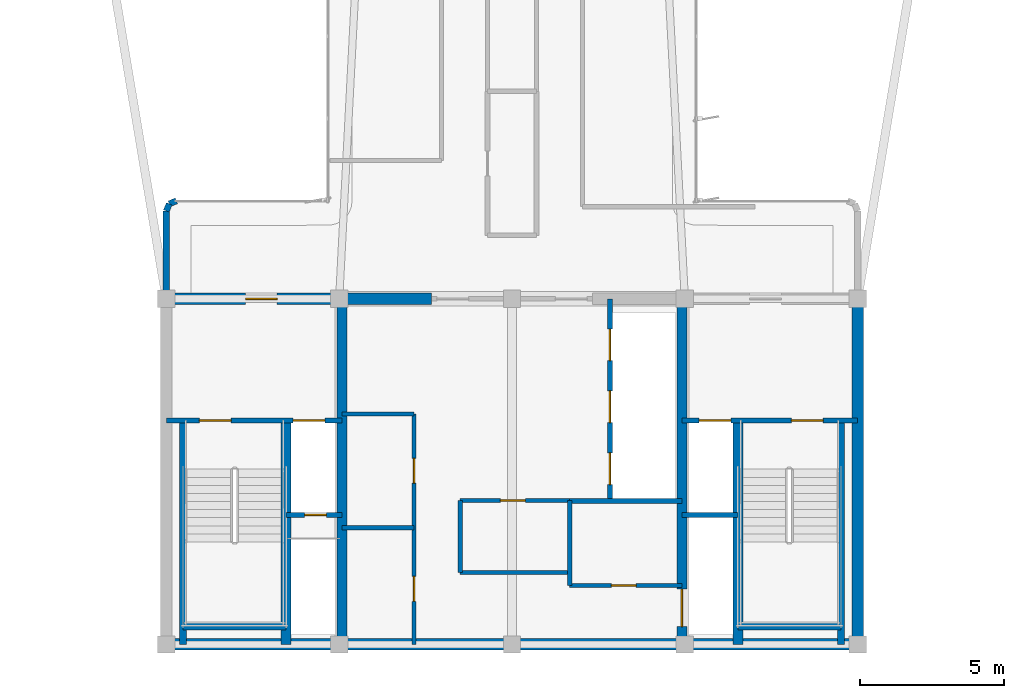
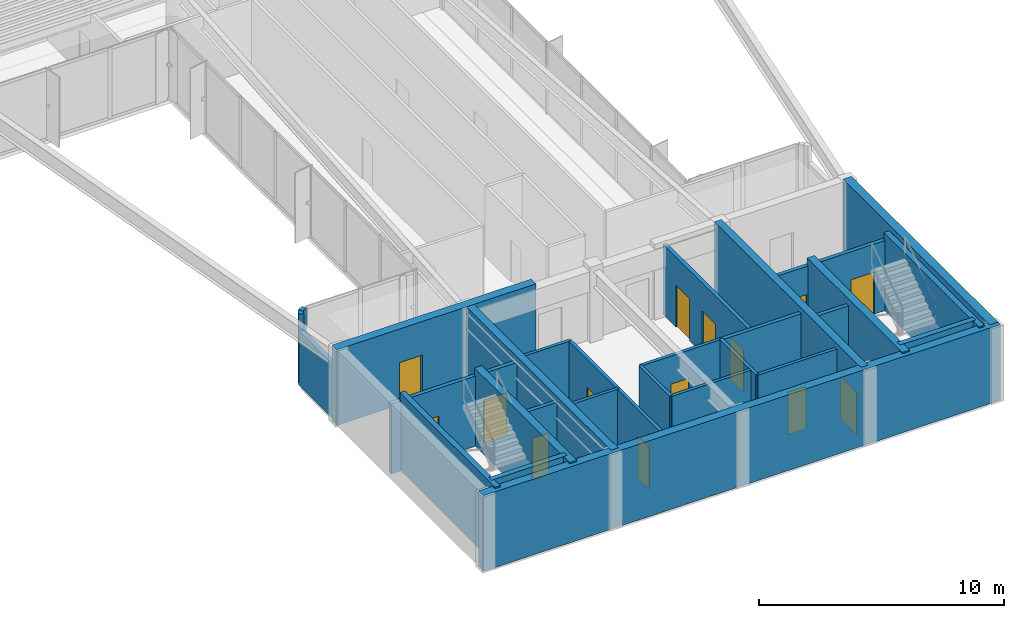
# One storey, part 10 of 16: 28 walls, 14 doors, 14 openings.
"""IFC4 building model written with IfcOpenShell, lengths in metres."""

import ifcopenshell
import ifcopenshell.guid

model = None  # the IFC model being written
_history = None  # IfcOwnerHistory: only IFC2X3 demands one
_inside = {}  # id of a spatial element -> (the spatial element, [elements in it])
_under = {}  # id of a project, library or spatial element -> (it, [spatial elements below it])
_declared = {}  # id of a project -> (the project, [libraries it declares])
_typed = {}  # id of a type object -> (the type object, [elements of that type])
_made_of = {}  # id of a material, layer set ... -> (it, [elements and type objects made of it])


def new_model(schema):
    """Start an empty IFC model of exactly this schema.

    Asked for "IFC4X3", IfcOpenShell would pick the latest addendum, in which some entities
    have other attributes; the version numbers below select the first issue.
    IFC2X3 requires an IfcOwnerHistory on every rooted entity: one is made here for all.
    """
    global model, _history
    if schema == "IFC4X3":
        model = ifcopenshell.file(schema_version=(4, 3, 0, 0))
    else:
        model = ifcopenshell.file(schema=schema)
    _inside.clear()
    _under.clear()
    _declared.clear()
    _typed.clear()
    _made_of.clear()
    _history = None
    if model.schema == "IFC2X3":
        org = make("IfcOrganization", Name="unknown")
        user = make(
            "IfcPersonAndOrganization",
            ThePerson=make("IfcPerson", FamilyName="unknown"),
            TheOrganization=org,
        )
        app = make(
            "IfcApplication",
            ApplicationDeveloper=org,
            Version="unknown",
            ApplicationFullName="unknown",
            ApplicationIdentifier="unknown",
        )
        _history = make(
            "IfcOwnerHistory",
            OwningUser=user,
            OwningApplication=app,
            ChangeAction="ADDED",
            CreationDate=0,
        )
    return model


def make(cls, **values):
    """One entity of the class cls with the attributes given. An attribute that is None is left unset."""
    return model.create_entity(
        cls, **{name: value for name, value in values.items() if value is not None}
    )


def rooted(cls, **values):
    """An entity with a GlobalId (a new one), such as an element, a storey or a relation."""
    return make(cls, GlobalId=ifcopenshell.guid.new(), OwnerHistory=_history, **values)


def si_unit(unit_type, name, prefix=None):
    """IfcSIUnit, for example si_unit("LENGTHUNIT", "METRE", prefix="MILLI")."""
    return make("IfcSIUnit", UnitType=unit_type, Prefix=prefix, Name=name)


def assignment(units):
    """IfcUnitAssignment: the units of a project."""
    return None if units is None else make("IfcUnitAssignment", Units=units)


def point(xyz):
    """IfcCartesianPoint."""
    return None if xyz is None else make("IfcCartesianPoint", Coordinates=xyz)


def direction(xyz):
    """IfcDirection."""
    return None if xyz is None else make("IfcDirection", DirectionRatios=xyz)


def frame(location, z_axis=None, x_axis=None):
    """IfcAxis2Placement3D, a coordinate frame: its origin and axes. An axis left out is left unset."""
    return make(
        "IfcAxis2Placement3D",
        Location=point(location),
        Axis=direction(z_axis),
        RefDirection=direction(x_axis),
    )


def frame_2d(location, x_axis=None):
    """IfcAxis2Placement2D, a coordinate frame in the plane: its origin and x axis."""
    return make(
        "IfcAxis2Placement2D", Location=point(location), RefDirection=direction(x_axis)
    )


def origin():
    """The frame at (0, 0, 0) with its axes left unset."""
    return frame((0.0, 0.0, 0.0))


def origin_2d():
    """The frame at (0, 0) in the plane with its x axis left unset."""
    return frame_2d((0.0, 0.0))


def place(relative_to, where):
    """IfcLocalPlacement: puts the frame where relative to a parent placement (None: the world)."""
    return make(
        "IfcLocalPlacement", PlacementRelTo=relative_to, RelativePlacement=where
    )


def context(
    kind, dimensions, precision=None, world=None, true_north=None, identifier=None
):
    """IfcGeometricRepresentationContext, for example the 3D "Model" context."""
    return make(
        "IfcGeometricRepresentationContext",
        ContextIdentifier=identifier,
        ContextType=kind,
        CoordinateSpaceDimension=dimensions,
        Precision=precision,
        WorldCoordinateSystem=world,
        TrueNorth=true_north,
    )


def subcontext(parent, identifier, kind, view, scale=None):
    """IfcGeometricRepresentationSubContext, for example "Body" below "Model"."""
    return make(
        "IfcGeometricRepresentationSubContext",
        ContextIdentifier=identifier,
        ContextType=kind,
        ParentContext=parent,
        TargetScale=scale,
        TargetView=view,
    )


def project(units=None, contexts=None):
    """IfcProject with its units and contexts."""
    return rooted(
        "IfcProject",
        Name="project",
        RepresentationContexts=contexts,
        UnitsInContext=assignment(units),
    )


def spatial(cls, under=None, at=None, **own):
    """A site, building, storey or space (cls), placed at a placement, below another one or the project."""
    s = rooted(cls, ObjectPlacement=at, **own)
    if under is not None:
        _under.setdefault(under.id(), (under, []))[1].append(s)
    return s


def profile(cls, at=None, kind="AREA", **sizes):
    """A parametric profile (cls). Its sizes go by their IFC names, for example OverallWidth=200.0."""
    return make(cls, ProfileType=kind, Position=at, **sizes)


def rectangle(**sizes):
    """IfcRectangleProfileDef."""
    return profile("IfcRectangleProfileDef", **sizes)


def extrude(swept, where, along, depth):
    """IfcExtrudedAreaSolid: the profile swept, set in the frame where, extruded along a direction by depth."""
    return make(
        "IfcExtrudedAreaSolid",
        SweptArea=swept,
        Position=where,
        ExtrudedDirection=direction(along),
        Depth=depth,
    )


def shape(context_of_items, identifier, shape_type, items):
    """IfcShapeRepresentation: the items that make up one representation, for example the "Body"."""
    return make(
        "IfcShapeRepresentation",
        ContextOfItems=context_of_items,
        RepresentationIdentifier=identifier,
        RepresentationType=shape_type,
        Items=items,
    )


def source(mapping_origin, context_of_items, identifier, shape_type, items):
    """IfcRepresentationMap: a shape defined once, which mapped items show again and again."""
    return make(
        "IfcRepresentationMap",
        MappingOrigin=mapping_origin,
        MappedRepresentation=shape(context_of_items, identifier, shape_type, items),
    )


def transform(
    local_origin,
    x_axis=None,
    y_axis=None,
    z_axis=None,
    scale=None,
    scale2=None,
    scale3=None,
    uniform=True,
):
    """IfcCartesianTransformationOperator3D, or its non-uniform kind. x_axis, y_axis, z_axis: its Axis1, 2, 3."""
    if uniform:
        return make(
            "IfcCartesianTransformationOperator3D",
            Axis1=direction(x_axis),
            Axis2=direction(y_axis),
            LocalOrigin=point(local_origin),
            Scale=scale,
            Axis3=direction(z_axis),
        )
    return make(
        "IfcCartesianTransformationOperator3DnonUniform",
        Axis1=direction(x_axis),
        Axis2=direction(y_axis),
        LocalOrigin=point(local_origin),
        Scale=scale,
        Axis3=direction(z_axis),
        Scale2=scale2,
        Scale3=scale3,
    )


def mapped(mapping_source, mapping_target):
    """IfcMappedItem: shows the shape of a source again, moved by a transform."""
    return make(
        "IfcMappedItem", MappingSource=mapping_source, MappingTarget=mapping_target
    )


def material(Name=None, Category=None):
    """IfcMaterial."""
    return make("IfcMaterial", Name=Name, Category=Category)


def layer(
    of_material, thickness, ventilated=None, Name=None, Category=None, Priority=None
):
    """IfcMaterialLayer: one layer of a wall or slab, of a material (None: an air gap)."""
    return make(
        "IfcMaterialLayer",
        Material=of_material,
        LayerThickness=thickness,
        IsVentilated=ventilated,
        Name=Name,
        Category=Category,
        Priority=Priority,
    )


def layer_set(layers, Name=None):
    """IfcMaterialLayerSet."""
    return make("IfcMaterialLayerSet", MaterialLayers=layers, LayerSetName=Name)


def made_of(thing, what):
    """Note that an element or type object is made of a material, layer set ...; save() writes the relation."""
    if what is not None:
        _made_of.setdefault(what.id(), (what, []))[1].append(thing)
    return thing


def type_object(cls, material=None, **own):
    """A type object (cls), such as IfcWallType, which elements share."""
    return made_of(rooted(cls, **own), material)


def element(
    cls,
    number,
    at=None,
    inside=None,
    cuts=None,
    type_object=None,
    material=None,
    context=None,
    identifier="Body",
    shape_type=None,
    held_by="IfcProductDefinitionShape",
    body=None,
    shapes=None,
    **own,
):
    """One element of the class cls, such as IfcWall. Its Tag is "e" and its number.

    at: its placement. inside: the storey or other place that contains it. cuts: it is an
    opening in that element (IfcRelVoidsElement). A single representation is given by context,
    identifier, shape_type and body (its items); several are given by shapes. held_by: the class
    of the entity that holds the representations. save() writes the other relations.
    """
    e = rooted(cls, Tag="e%d" % number, ObjectPlacement=at, **own)
    if body is not None:
        shapes = [shape(context, identifier, shape_type, body)]
    if shapes is not None:
        e.Representation = make(held_by, Representations=shapes)
    if inside is not None:
        _inside.setdefault(inside.id(), (inside, []))[1].append(e)
    if cuts is not None:
        rooted(
            "IfcRelVoidsElement", RelatingBuildingElement=cuts, RelatedOpeningElement=e
        )
    if type_object is not None:
        _typed.setdefault(type_object.id(), (type_object, []))[1].append(e)
    return made_of(e, material)


def fill(opening, filler):
    """IfcRelFillsElement: the door or window that sits in an opening."""
    return rooted(
        "IfcRelFillsElement",
        RelatingOpeningElement=opening,
        RelatedBuildingElement=filler,
    )


def aggregate(whole, parts):
    """IfcRelAggregates: a whole, such as a stair, and the parts it consists of."""
    return rooted("IfcRelAggregates", RelatingObject=whole, RelatedObjects=parts)


def save(model, path):
    """Write the relations noted so far, then the file.

    IfcRelAggregates (storeys below a building ...), IfcRelContainedInSpatialStructure (elements
    in a storey), IfcRelDefinesByType, IfcRelAssociatesMaterial and IfcRelDeclares: one each for
    every whole, place, type object, material and project.
    """
    for whole, parts in _under.values():
        aggregate(whole, parts)
    for where, things in _inside.values():
        rooted(
            "IfcRelContainedInSpatialStructure",
            RelatedElements=things,
            RelatingStructure=where,
        )
    for kind, things in _typed.values():
        rooted("IfcRelDefinesByType", RelatedObjects=things, RelatingType=kind)
    for what, things in _made_of.values():
        rooted("IfcRelAssociatesMaterial", RelatedObjects=things, RelatingMaterial=what)
    for by, libraries in _declared.values():
        rooted("IfcRelDeclares", RelatingContext=by, RelatedDefinitions=libraries)
    model.write(path)


model = new_model("IFC4")

# Units and contexts
model_context = context("Model", 3, precision=1e-05, world=origin(), true_north=direction((0.0, 1.0)))
body_context = subcontext(model_context, "Body", "Model", "MODEL_VIEW")
ifc_project = project(units=[si_unit("LENGTHUNIT", "METRE"), si_unit("AREAUNIT", "SQUARE_METRE"), si_unit("VOLUMEUNIT", "CUBIC_METRE"), si_unit("PLANEANGLEUNIT", "RADIAN"), si_unit("MASSUNIT", "GRAM", prefix="KILO")], contexts=[model_context])

# Site, building, storey
site_placement = place(None, origin())
site = spatial("IfcSite", under=ifc_project, at=site_placement, CompositionType="ELEMENT")
building_placement = place(site_placement, origin())
building = spatial("IfcBuilding", under=site, at=building_placement, Name="Brelvock Crest Care Tower", CompositionType="ELEMENT")
storey_placement = place(building_placement, frame((0.0, 0.0, 238.139892578125)))
storey = spatial("IfcBuildingStorey", under=building, at=storey_placement, Name="L60", CompositionType="ELEMENT", Elevation=238.139892578125)

# Walls
ifc_material_1 = material(Name="Concrete S65 (65 MPa)", Category="concrete")
ifc_layer_1 = layer(ifc_material_1, 0.39990234375, Name="WL-CS4")
ifc_layer_set_1 = layer_set([ifc_layer_1], Name="Concrete S65 (65 MPa)")
wall_type_1 = type_object("IfcWallType", Name="WL-CS4", PredefinedType="SHEAR", material=ifc_layer_set_1)
wall_1_placement = place(storey_placement, frame((48.199951171875, 6.0, 0.0), z_axis=(0.0, 0.0, 1.0), x_axis=(-1.0, 0.0, 0.0)))
element("IfcWall", 1, at=wall_1_placement, inside=storey, type_object=wall_type_1, Name="L60 Core South Shear Wall", PredefinedType="SHEAR", context=body_context, shape_type="SweptSolid", body=[
    extrude(rectangle(XDim=24.39990234375, YDim=0.39990234375, at=frame_2d((12.199951171875, 0.0))), origin(), (0.0, 0.0, 1.0), 3.780029296875),
])
wall_2_placement = place(storey_placement, frame((48.0, 18.0, 0.0), z_axis=(0.0, 0.0, 1.0), x_axis=(0.0, -1.0, 0.0)))
element("IfcWall", 2, at=wall_2_placement, inside=storey, type_object=wall_type_1, Name="L60 Core East Shear Wall", PredefinedType="SHEAR", context=body_context, shape_type="SweptSolid", body=[
    extrude(rectangle(XDim=12.0, YDim=0.39990234375, at=frame_2d((6.0, 0.0))), origin(), (0.0, 0.0, 1.0), 3.780029296875),
])

# Wall, opening, door
wall_3_placement = place(storey_placement, frame((23.800048828125, 18.0, 0.0), z_axis=(0.0, 0.0, 1.0), x_axis=(1.0, 0.0, 0.0)))
wall_3 = element("IfcWall", 3, at=wall_3_placement, inside=storey, type_object=wall_type_1, Name="L60 Core North-West Shear Wall", PredefinedType="SHEAR", context=body_context, shape_type="SweptSolid", body=[
    extrude(rectangle(XDim=9.39990234375, YDim=0.39990234375, at=frame_2d((4.699951171875, 0.0))), origin(), (0.0, 0.0, 1.0), 3.780029296875),
])
opening_1_placement = place(wall_3_placement, frame((2.949951171875, 0.0, 0.0)))
opening_1 = element("IfcOpeningElement", 4, at=opening_1_placement, cuts=wall_3, Name="Opening FD-1", PredefinedType="OPENING", context=body_context, shape_type="SweptSolid", body=[
    extrude(rectangle(XDim=1.10009765625, YDim=2.10009765625, at=origin_2d()), frame((0.550048828125, 0.2099609375, 1.050048828125), z_axis=(0.0, -1.0, 0.0), x_axis=(1.0, 0.0, 0.0)), (0.0, 0.0, 1.0), 0.419921875),
])
ifc_material_2 = material(Name="Steel Grade 350", Category="steel")
door_type_1 = type_object("IfcDoorType", Name="DR-FFL1", OperationType="NOTDEFINED", PredefinedType="DOOR", material=ifc_material_2)
shared_shape_1 = source(origin(), body_context, "Body", "SweptSolid", [
    extrude(rectangle(XDim=1.10009765625, YDim=2.10009765625, at=origin_2d()), frame((0.550048828125, 0.02490234375, 1.050048828125), z_axis=(0.0, -1.0, 0.0), x_axis=(1.0, 0.0, 0.0)), (0.0, 0.0, 1.0), 0.050048828125),
])
door_1_placement = place(opening_1_placement, origin())
door_1 = element("IfcDoor", 5, at=door_1_placement, inside=storey, type_object=door_type_1, Name="L60 Firefighting Lobby FFL-1 Exit Door", OperationType="SINGLE_SWING_LEFT", OverallHeight=2.10009765625, OverallWidth=1.10009765625, PredefinedType="DOOR", context=body_context, shape_type="MappedRepresentation", body=[
    mapped(shared_shape_1, transform((0.0, 0.0, 0.0), x_axis=(1.0, 0.0, 0.0), y_axis=(0.0, 1.0, 0.0), z_axis=(0.0, 0.0, 1.0), scale=1.0)),
])
fill(opening_1, door_1)

# Wall
ifc_material_3 = material(Name="Concrete S80 (80 MPa)", Category="concrete")
ifc_layer_2 = layer(ifc_material_3, 0.35009765625, Name="WL-CS5")
ifc_layer_set_2 = layer_set([ifc_layer_2], Name="Concrete S80 (80 MPa)")
wall_type_2 = type_object("IfcWallType", Name="WL-CS5", PredefinedType="SHEAR", material=ifc_layer_set_2)
wall_4_placement = place(storey_placement, frame((30.10009765625, 6.0, 0.0), z_axis=(0.0, 0.0, 1.0), x_axis=(0.0, 1.0, 0.0)))
element("IfcWall", 6, at=wall_4_placement, inside=storey, type_object=wall_type_2, Name="L60 Core Internal Web Wall West", PredefinedType="SHEAR", context=body_context, shape_type="SweptSolid", body=[
    extrude(rectangle(XDim=12.0, YDim=0.35009765625, at=frame_2d((6.0, 0.0))), origin(), (0.0, 0.0, 1.0), 3.780029296875),
])

# Wall, opening, door
wall_5_placement = place(storey_placement, frame((41.89990234375, 18.0, 0.0), z_axis=(0.0, 0.0, 1.0), x_axis=(0.0, -1.0, 0.0)))
wall_5 = element("IfcWall", 7, at=wall_5_placement, inside=storey, type_object=wall_type_2, Name="L60 Core Internal Web Wall East", PredefinedType="SHEAR", context=body_context, shape_type="SweptSolid", body=[
    extrude(rectangle(XDim=12.0, YDim=0.35009765625, at=frame_2d((6.0, 0.0))), origin(), (0.0, 0.0, 1.0), 3.780029296875),
])
opening_2_placement = place(wall_5_placement, frame((10.080078125, 0.0, 0.0)))
opening_2 = element("IfcOpeningElement", 8, at=opening_2_placement, cuts=wall_5, Name="Opening LD-S", PredefinedType="OPENING", context=body_context, shape_type="SweptSolid", body=[
    extrude(rectangle(XDim=1.300048828125, YDim=2.10009765625, at=origin_2d()), frame((0.64990234375, 0.18505859375, 1.050048828125), z_axis=(0.0, -1.0, 0.0), x_axis=(1.0, 0.0, 0.0)), (0.0, 0.0, 1.0), 0.3701171875),
])
door_type_2 = type_object("IfcDoorType", Name="DR-LDS1", OperationType="NOTDEFINED", PredefinedType="DOOR", material=ifc_material_2)
shared_shape_2 = source(origin(), body_context, "Body", "SweptSolid", [
    extrude(rectangle(XDim=1.300048828125, YDim=2.10009765625, at=origin_2d()), frame((0.64990234375, 0.02490234375, 1.050048828125), z_axis=(0.0, -1.0, 0.0), x_axis=(1.0, 0.0, 0.0)), (0.0, 0.0, 1.0), 0.050048828125),
])
door_2_placement = place(opening_2_placement, origin())
door_2 = element("IfcDoor", 9, at=door_2_placement, inside=storey, type_object=door_type_2, Name="L60 Clinical Bed Lift SL-1 Landing Door", OperationType="SLIDING_TO_LEFT", OverallHeight=2.10009765625, OverallWidth=1.300048828125, PredefinedType="DOOR", context=body_context, shape_type="MappedRepresentation", body=[
    mapped(shared_shape_2, transform((0.0, 0.0, 0.0), x_axis=(1.0, 0.0, 0.0), y_axis=(0.0, 1.0, 0.0), z_axis=(0.0, 0.0, 1.0), scale=1.0)),
])
fill(opening_2, door_2)

# Walls
for number, where, z_axis, x_axis, name in (
    (10, (28.14990234375, 6.0, 0.0), (0.0, 0.0, 1.0), (0.0, 1.0, 0.0), "L60 Core Stair ST-1 East Shear Wall"),
    (11, (43.85009765625, 6.0, 0.0), (0.0, 0.0, 1.0), (0.0, 1.0, 0.0), "L60 Core Stair ST-2 West Shear Wall"),
):
    element("IfcWall", number, at=place(storey_placement, frame(where, z_axis=z_axis, x_axis=x_axis)), inside=storey, type_object=wall_type_2, Name=name, PredefinedType="SHEAR", context=body_context, shape_type="SweptSolid", body=[
        extrude(rectangle(XDim=7.780029296875, YDim=0.35009765625, at=frame_2d((3.89013671875, 0.0))), origin(), (0.0, 0.0, 1.0), 3.85009765625),
    ])
ifc_layer_3 = layer(ifc_material_3, 0.25, Name="WL-CS6")
ifc_layer_set_3 = layer_set([ifc_layer_3], Name="Concrete S80 (80 MPa)")
wall_type_3 = type_object("IfcWallType", Name="WL-CS6", PredefinedType="SHEAR", material=ifc_layer_set_3)
wall_6_placement = place(storey_placement, frame((24.580078125, 6.0, 0.0), z_axis=(0.0, 0.0, 1.0), x_axis=(0.0, 1.0, 0.0)))
element("IfcWall", 12, at=wall_6_placement, inside=storey, type_object=wall_type_3, Name="L60 Core Stair ST-1 West Shear Wall", PredefinedType="SHEAR", context=body_context, shape_type="SweptSolid", body=[
    extrude(rectangle(XDim=7.780029296875, YDim=0.25, at=frame_2d((3.89013671875, 0.0))), origin(), (0.0, 0.0, 1.0), 3.85009765625),
])
wall_7_placement = place(storey_placement, frame((24.580078125, 6.6201171875, 0.0), z_axis=(0.0, 0.0, 1.0), x_axis=(1.0, 0.0, 0.0)))
element("IfcWall", 13, at=wall_7_placement, inside=storey, type_object=wall_type_3, Name="L60 Core Stair ST-1 South Shear Wall", PredefinedType="SHEAR", context=body_context, shape_type="SweptSolid", body=[
    extrude(rectangle(XDim=3.56982421875, YDim=0.25, at=frame_2d((1.784912109375, 0.0))), origin(), (0.0, 0.0, 1.0), 3.85009765625),
])
wall_8_placement = place(storey_placement, frame((47.419921875, 6.0, 0.0), z_axis=(0.0, 0.0, 1.0), x_axis=(0.0, 1.0, 0.0)))
element("IfcWall", 14, at=wall_8_placement, inside=storey, type_object=wall_type_3, Name="L60 Core Stair ST-2 East Shear Wall", PredefinedType="SHEAR", context=body_context, shape_type="SweptSolid", body=[
    extrude(rectangle(XDim=7.780029296875, YDim=0.25, at=frame_2d((3.89013671875, 0.0))), origin(), (0.0, 0.0, 1.0), 3.85009765625),
])
wall_9_placement = place(storey_placement, frame((43.85009765625, 6.6201171875, 0.0), z_axis=(0.0, 0.0, 1.0), x_axis=(1.0, 0.0, 0.0)))
element("IfcWall", 15, at=wall_9_placement, inside=storey, type_object=wall_type_3, Name="L60 Core Stair ST-2 South Shear Wall", PredefinedType="SHEAR", context=body_context, shape_type="SweptSolid", body=[
    extrude(rectangle(XDim=3.56982421875, YDim=0.25, at=frame_2d((1.784912109375, 0.0))), origin(), (0.0, 0.0, 1.0), 3.85009765625),
])
ifc_material_4 = material(Name="Precast concrete N40 (40 MPa)", Category="concrete")
ifc_layer_4 = layer(ifc_material_4, 0.215087890625, Name="WL-EX2")
ifc_layer_set_4 = layer_set([ifc_layer_4], Name="Precast concrete N40 (40 MPa)")
wall_type_4 = type_object("IfcWallType", Name="WL-EX2", PredefinedType="SOLIDWALL", material=ifc_layer_set_4)
wall_10_placement = place(storey_placement, frame((24.0, 18.280029296875, 0.0), z_axis=(0.0, 0.0, 1.0), x_axis=(0.0, 1.0, 0.0)))
element("IfcWall", 16, at=wall_10_placement, inside=storey, type_object=wall_type_4, Name="L60 Rounded Corner Wall 07", PredefinedType="SOLIDWALL", context=body_context, shape_type="SweptSolid", body=[
    extrude(rectangle(XDim=2.77001953125, YDim=0.215087890625, at=frame_2d((1.385009765625, 0.0))), origin(), (0.0, 0.0, 1.0), 2.718017578125),
])
wall_11_placement = place(storey_placement, frame((24.0, 21.050048828125, 0.0), z_axis=(0.0, 0.0, 1.0), x_axis=(0.382673670509, 0.923883575944, 0.0)))
element("IfcWall", 17, at=wall_11_placement, inside=storey, type_object=wall_type_4, Name="L60 Rounded Corner Wall 08", PredefinedType="SOLIDWALL", context=body_context, shape_type="SweptSolid", body=[
    extrude(rectangle(XDim=0.26806640625, YDim=0.215087890625, at=frame_2d((0.134033203125, 0.0))), origin(), (0.0, 0.0, 1.0), 3.530029296875),
])
wall_12_placement = place(storey_placement, frame((24.1025390625, 21.297607421875, 0.0), z_axis=(0.0, 0.0, 1.0), x_axis=(0.924205486139, 0.381895560841, 0.0)))
element("IfcWall", 18, at=wall_12_placement, inside=storey, type_object=wall_type_4, Name="L60 Rounded Corner Wall 09", PredefinedType="SOLIDWALL", context=body_context, shape_type="SweptSolid", body=[
    extrude(rectangle(XDim=0.267822265625, YDim=0.215087890625, at=frame_2d((0.1337890625, 0.0))), origin(), (0.0, 0.0, 1.0), 3.530029296875),
])
ifc_material_5 = material(Name="Masonry Blockwork Acoustic Partition", Category="masonry")
ifc_layer_5 = layer(ifc_material_5, 0.14990234375, Name="WL-INT1")
ifc_layer_set_5 = layer_set([ifc_layer_5], Name="Masonry Blockwork Acoustic Partition")
wall_type_5 = type_object("IfcWallType", Name="WL-INT1", PredefinedType="PARTITIONING", material=ifc_layer_set_5)
wall_13_placement = place(storey_placement, frame((30.10009765625, 14.0, 0.0), z_axis=(0.0, 0.0, 1.0), x_axis=(1.0, 0.0, 0.0)))
element("IfcWall", 19, at=wall_13_placement, inside=storey, type_object=wall_type_5, Name="L60 Interior Wall WL-CRCL-N1-L60", PredefinedType="PARTITIONING", context=body_context, shape_type="SweptSolid", body=[
    extrude(rectangle(XDim=2.5, YDim=0.14990234375, at=frame_2d((1.25, 0.0))), origin(), (0.0, 0.0, 1.0), 3.5),
])
wall_14_placement = place(storey_placement, frame((34.199951171875, 8.5, 0.0), z_axis=(0.0, 0.0, 1.0), x_axis=(1.0, 0.0, 0.0)))
element("IfcWall", 20, at=wall_14_placement, inside=storey, type_object=wall_type_5, Name="L60 Interior Wall WL-CRCM-SW-L60", PredefinedType="PARTITIONING", context=body_context, shape_type="SweptSolid", body=[
    extrude(rectangle(XDim=3.800048828125, YDim=0.14990234375, at=frame_2d((1.89990234375, 0.0))), origin(), (0.0, 0.0, 1.0), 3.5),
])

# Wall, opening, door
wall_15_placement = place(storey_placement, frame((38.0, 8.050048828125, 0.0), z_axis=(0.0, 0.0, 1.0), x_axis=(1.0, 0.0, 0.0)))
wall_15 = element("IfcWall", 21, at=wall_15_placement, inside=storey, type_object=wall_type_5, Name="L60 Interior Wall WL-CRCM-SE-L60", PredefinedType="PARTITIONING", context=body_context, shape_type="SweptSolid", body=[
    extrude(rectangle(XDim=3.89990234375, YDim=0.14990234375, at=frame_2d((1.949951171875, 0.0))), origin(), (0.0, 0.0, 1.0), 3.5),
])
opening_3_placement = place(wall_15_placement, frame((1.449951171875, 0.0, 0.0)))
opening_3 = element("IfcOpeningElement", 22, at=opening_3_placement, cuts=wall_15, Name="Opening ID-1", PredefinedType="OPENING", context=body_context, shape_type="SweptSolid", body=[
    extrude(rectangle(XDim=0.860107421875, YDim=2.10009765625, at=origin_2d()), frame((0.43017578125, 0.0849609375, 1.050048828125), z_axis=(0.0, -1.0, 0.0), x_axis=(1.0, 0.0, 0.0)), (0.0, 0.0, 1.0), 0.169921875),
])
ifc_material_6 = material(Name="Engineered Hardwood Timber", Category="wood")
door_type_3 = type_object("IfcDoorType", Name="DR-INT1", OperationType="NOTDEFINED", PredefinedType="DOOR", material=ifc_material_6)
shared_shape_3 = source(origin(), body_context, "Body", "SweptSolid", [
    extrude(rectangle(XDim=0.860107421875, YDim=2.10009765625, at=origin_2d()), frame((0.43017578125, 0.02490234375, 1.050048828125), z_axis=(0.0, -1.0, 0.0), x_axis=(1.0, 0.0, 0.0)), (0.0, 0.0, 1.0), 0.050048828125),
])
door_3_placement = place(opening_3_placement, origin())
door_3 = element("IfcDoor", 23, at=door_3_placement, inside=storey, type_object=door_type_3, Name="DR-CRCM2-L60", OperationType="SINGLE_SWING_LEFT", OverallHeight=2.10009765625, OverallWidth=0.860107421875, PredefinedType="DOOR", context=body_context, shape_type="MappedRepresentation", body=[
    mapped(shared_shape_3, transform((0.0, 0.0, 0.0), x_axis=(1.0, 0.0, 0.0), y_axis=(0.0, 1.0, 0.0), z_axis=(0.0, 0.0, 1.0), scale=1.0)),
])
fill(opening_3, door_3)

# Walls
wall_16_placement = place(storey_placement, frame((34.199951171875, 8.5, 0.0), z_axis=(0.0, 0.0, 1.0), x_axis=(0.0, 1.0, 0.0)))
element("IfcWall", 24, at=wall_16_placement, inside=storey, type_object=wall_type_5, Name="L60 Interior Wall WL-CRCM-W-L60", PredefinedType="PARTITIONING", context=body_context, shape_type="SweptSolid", body=[
    extrude(rectangle(XDim=2.5, YDim=0.14990234375, at=frame_2d((1.25, 0.0))), origin(), (0.0, 0.0, 1.0), 3.5),
])
wall_17_placement = place(storey_placement, frame((38.0, 8.050048828125, 0.0), z_axis=(0.0, 0.0, 1.0), x_axis=(0.0, 1.0, 0.0)))
element("IfcWall", 25, at=wall_17_placement, inside=storey, type_object=wall_type_5, Name="L60 Interior Wall WL-CRCM-V-L60", PredefinedType="PARTITIONING", context=body_context, shape_type="SweptSolid", body=[
    extrude(rectangle(XDim=2.949951171875, YDim=0.14990234375, at=frame_2d((1.47509765625, 0.0))), origin(), (0.0, 0.0, 1.0), 3.5),
])

# Wall, opening, door
wall_18_placement = place(storey_placement, frame((34.199951171875, 11.0, 0.0), z_axis=(0.0, 0.0, 1.0), x_axis=(1.0, 0.0, 0.0)))
wall_18 = element("IfcWall", 26, at=wall_18_placement, inside=storey, type_object=wall_type_5, Name="L60 Interior Wall WL-CRCM-NW-L60", PredefinedType="PARTITIONING", context=body_context, shape_type="SweptSolid", body=[
    extrude(rectangle(XDim=3.800048828125, YDim=0.14990234375, at=frame_2d((1.89990234375, 0.0))), origin(), (0.0, 0.0, 1.0), 3.5),
])
opening_4_placement = place(wall_18_placement, frame((1.39990234375, 0.0, 0.0)))
opening_4 = element("IfcOpeningElement", 27, at=opening_4_placement, cuts=wall_18, Name="Opening ID-1", PredefinedType="OPENING", context=body_context, shape_type="SweptSolid", body=[
    extrude(rectangle(XDim=0.860107421875, YDim=2.10009765625, at=origin_2d()), frame((0.43017578125, 0.0849609375, 1.050048828125), z_axis=(0.0, -1.0, 0.0), x_axis=(1.0, 0.0, 0.0)), (0.0, 0.0, 1.0), 0.169921875),
])
door_4_placement = place(opening_4_placement, origin())
door_4 = element("IfcDoor", 28, at=door_4_placement, inside=storey, type_object=door_type_3, Name="DR-CRCM1-L60", OperationType="SINGLE_SWING_LEFT", OverallHeight=2.10009765625, OverallWidth=0.860107421875, PredefinedType="DOOR", context=body_context, shape_type="MappedRepresentation", body=[
    mapped(shared_shape_3, transform((0.0, 0.0, 0.0), x_axis=(1.0, 0.0, 0.0), y_axis=(0.0, 1.0, 0.0), z_axis=(0.0, 0.0, 1.0), scale=1.0)),
])
fill(opening_4, door_4)

# Wall
wall_19_placement = place(storey_placement, frame((30.10009765625, 10.050048828125, 0.0), z_axis=(0.0, 0.0, 1.0), x_axis=(1.0, 0.0, 0.0)))
element("IfcWall", 29, at=wall_19_placement, inside=storey, type_object=wall_type_5, Name="L60 Interior Wall WL-CSBW-S1-L60", PredefinedType="PARTITIONING", context=body_context, shape_type="SweptSolid", body=[
    extrude(rectangle(XDim=2.5, YDim=0.14990234375, at=frame_2d((1.25, 0.0))), origin(), (0.0, 0.0, 1.0), 3.5),
])

# Wall, openings, doors
wall_20_placement = place(storey_placement, frame((32.60009765625, 6.0, 0.0), z_axis=(0.0, 0.0, 1.0), x_axis=(0.0, 1.0, 0.0)))
wall_20 = element("IfcWall", 30, at=wall_20_placement, inside=storey, type_object=wall_type_5, Name="L60 Interior Wall WL-CRCL-E-L60", PredefinedType="PARTITIONING", context=body_context, shape_type="SweptSolid", body=[
    extrude(rectangle(XDim=8.0, YDim=0.14990234375, at=frame_2d((4.0, 0.0))), origin(), (0.0, 0.0, 1.0), 3.5),
])
opening_5_placement = place(wall_20_placement, frame((1.5, 0.0, 0.0)))
opening_5 = element("IfcOpeningElement", 31, at=opening_5_placement, cuts=wall_20, Name="Opening ID-1", PredefinedType="OPENING", context=body_context, shape_type="SweptSolid", body=[
    extrude(rectangle(XDim=0.860107421875, YDim=2.10009765625, at=origin_2d()), frame((0.43017578125, 0.0849609375, 1.050048828125), z_axis=(0.0, -1.0, 0.0), x_axis=(1.0, 0.0, 0.0)), (0.0, 0.0, 1.0), 0.169921875),
])
opening_6_placement = place(wall_20_placement, frame((5.60009765625, 0.0, 0.0)))
opening_6 = element("IfcOpeningElement", 32, at=opening_6_placement, cuts=wall_20, Name="Opening ID-1", PredefinedType="OPENING", context=body_context, shape_type="SweptSolid", body=[
    extrude(rectangle(XDim=0.860107421875, YDim=2.10009765625, at=origin_2d()), frame((0.43017578125, 0.0849609375, 1.050048828125), z_axis=(0.0, -1.0, 0.0), x_axis=(1.0, 0.0, 0.0)), (0.0, 0.0, 1.0), 0.169921875),
])
door_5_placement = place(opening_5_placement, origin())
door_5 = element("IfcDoor", 33, at=door_5_placement, inside=storey, type_object=door_type_3, Name="DR-CSBW-L60", OperationType="SINGLE_SWING_LEFT", OverallHeight=2.10009765625, OverallWidth=0.860107421875, PredefinedType="DOOR", context=body_context, shape_type="MappedRepresentation", body=[
    mapped(shared_shape_3, transform((0.0, 0.0, 0.0), x_axis=(1.0, 0.0, 0.0), y_axis=(0.0, 1.0, 0.0), z_axis=(0.0, 0.0, 1.0), scale=1.0)),
])
fill(opening_5, door_5)
door_6_placement = place(opening_6_placement, origin())
door_6 = element("IfcDoor", 34, at=door_6_placement, inside=storey, type_object=door_type_3, Name="DR-CRCL1-L60", OperationType="SINGLE_SWING_LEFT", OverallHeight=2.10009765625, OverallWidth=0.860107421875, PredefinedType="DOOR", context=body_context, shape_type="MappedRepresentation", body=[
    mapped(shared_shape_3, transform((0.0, 0.0, 0.0), x_axis=(1.0, 0.0, 0.0), y_axis=(0.0, 1.0, 0.0), z_axis=(0.0, 0.0, 1.0), scale=1.0)),
])
fill(opening_6, door_6)

# Wall
ifc_layer_6 = layer(ifc_material_5, 0.179931640625, Name="WL-SHF1")
ifc_layer_set_6 = layer_set([ifc_layer_6], Name="Masonry Blockwork Acoustic Partition")
wall_type_6 = type_object("IfcWallType", Name="WL-SHF1", PredefinedType="PARTITIONING", material=ifc_layer_set_6)
wall_21_placement = place(storey_placement, frame((38.0, 10.97998046875, 0.0), z_axis=(0.0, 0.0, 1.0), x_axis=(1.0, 0.0, 0.0)))
element("IfcWall", 35, at=wall_21_placement, inside=storey, type_object=wall_type_6, Name="L60 Interior Wall WL-CRCM-NE-L60", PredefinedType="PARTITIONING", context=body_context, shape_type="SweptSolid", body=[
    extrude(rectangle(XDim=3.89990234375, YDim=0.179931640625, at=frame_2d((1.949951171875, 0.0))), origin(), (0.0, 0.0, 1.0), 3.5),
])

# Wall, openings, doors
wall_22_placement = place(storey_placement, frame((24.0, 13.780029296875, 0.0), z_axis=(0.0, 0.0, 1.0), x_axis=(1.0, 0.0, 0.0)))
wall_22 = element("IfcWall", 36, at=wall_22_placement, inside=storey, type_object=wall_type_6, Name="L60 Interior Wall WL-ST1-N-L60", PredefinedType="PARTITIONING", context=body_context, shape_type="SweptSolid", body=[
    extrude(rectangle(XDim=6.10009765625, YDim=0.179931640625, at=frame_2d((3.050048828125, 0.0))), origin(), (0.0, 0.0, 1.0), 3.5),
])
opening_7_placement = place(wall_22_placement, frame((1.14990234375, 0.0, 0.0)))
opening_7 = element("IfcOpeningElement", 37, at=opening_7_placement, cuts=wall_22, Name="Opening SD-1", PredefinedType="OPENING", context=body_context, shape_type="SweptSolid", body=[
    extrude(rectangle(XDim=1.10009765625, YDim=2.10009765625, at=origin_2d()), frame((0.550048828125, 0.10009765625, 1.050048828125), z_axis=(0.0, -1.0, 0.0), x_axis=(1.0, 0.0, 0.0)), (0.0, 0.0, 1.0), 0.199951171875),
])
opening_8_placement = place(wall_22_placement, frame((4.39990234375, 0.0, 0.0)))
opening_8 = element("IfcOpeningElement", 38, at=opening_8_placement, cuts=wall_22, Name="Opening LD", PredefinedType="OPENING", context=body_context, shape_type="SweptSolid", body=[
    extrude(rectangle(XDim=1.10009765625, YDim=2.10009765625, at=origin_2d()), frame((0.550048828125, 0.10009765625, 1.050048828125), z_axis=(0.0, -1.0, 0.0), x_axis=(1.0, 0.0, 0.0)), (0.0, 0.0, 1.0), 0.199951171875),
])
door_type_4 = type_object("IfcDoorType", Name="DR-ST1", OperationType="NOTDEFINED", PredefinedType="DOOR", material=ifc_material_2)
shared_shape_4 = source(origin(), body_context, "Body", "SweptSolid", [
    extrude(rectangle(XDim=1.10009765625, YDim=2.10009765625, at=origin_2d()), frame((0.550048828125, 0.02490234375, 1.050048828125), z_axis=(0.0, -1.0, 0.0), x_axis=(1.0, 0.0, 0.0)), (0.0, 0.0, 1.0), 0.050048828125),
])
door_7_placement = place(opening_7_placement, origin())
door_7 = element("IfcDoor", 39, at=door_7_placement, inside=storey, type_object=door_type_4, Name="L60 Fire Stair ST-1 Door", OperationType="SINGLE_SWING_LEFT", OverallHeight=2.10009765625, OverallWidth=1.10009765625, PredefinedType="DOOR", context=body_context, shape_type="MappedRepresentation", body=[
    mapped(shared_shape_4, transform((0.0, 0.0, 0.0), x_axis=(1.0, 0.0, 0.0), y_axis=(0.0, 1.0, 0.0), z_axis=(0.0, 0.0, 1.0), scale=1.0)),
])
fill(opening_7, door_7)
door_type_5 = type_object("IfcDoorType", Name="DR-LD1", OperationType="NOTDEFINED", PredefinedType="DOOR", material=ifc_material_2)
shared_shape_5 = source(origin(), body_context, "Body", "SweptSolid", [
    extrude(rectangle(XDim=1.10009765625, YDim=2.10009765625, at=origin_2d()), frame((0.550048828125, 0.02490234375, 1.050048828125), z_axis=(0.0, -1.0, 0.0), x_axis=(1.0, 0.0, 0.0)), (0.0, 0.0, 1.0), 0.050048828125),
])
door_8_placement = place(opening_8_placement, origin())
door_8 = element("IfcDoor", 40, at=door_8_placement, inside=storey, type_object=door_type_5, Name="L60 Firefighting Lift FFL-1 Landing Door", OperationType="SLIDING_TO_LEFT", OverallHeight=2.10009765625, OverallWidth=1.10009765625, PredefinedType="DOOR", context=body_context, shape_type="MappedRepresentation", body=[
    mapped(shared_shape_5, transform((0.0, 0.0, 0.0), x_axis=(1.0, 0.0, 0.0), y_axis=(0.0, 1.0, 0.0), z_axis=(0.0, 0.0, 1.0), scale=1.0)),
])
fill(opening_8, door_8)

# Wall, opening, door
wall_23_placement = place(storey_placement, frame((28.14990234375, 10.5, 0.0), z_axis=(0.0, 0.0, 1.0), x_axis=(1.0, 0.0, 0.0)))
wall_23 = element("IfcWall", 41, at=wall_23_placement, inside=storey, type_object=wall_type_6, Name="L60 Interior Wall WL-FFH1-S-L60", PredefinedType="PARTITIONING", context=body_context, shape_type="SweptSolid", body=[
    extrude(rectangle(XDim=1.9501953125, YDim=0.179931640625, at=frame_2d((0.97509765625, 0.0))), origin(), (0.0, 0.0, 1.0), 3.5),
])
opening_9_placement = place(wall_23_placement, frame((0.64990234375, 0.0, 0.0)))
opening_9 = element("IfcOpeningElement", 42, at=opening_9_placement, cuts=wall_23, Name="Opening RD-1", PredefinedType="OPENING", context=body_context, shape_type="SweptSolid", body=[
    extrude(rectangle(XDim=0.760009765625, YDim=2.050048828125, at=origin_2d()), frame((0.3798828125, 0.10009765625, 1.02490234375), z_axis=(0.0, -1.0, 0.0), x_axis=(1.0, 0.0, 0.0)), (0.0, 0.0, 1.0), 0.199951171875),
])
door_type_6 = type_object("IfcDoorType", Name="DR-RIS1", OperationType="NOTDEFINED", PredefinedType="DOOR", material=ifc_material_2)
shared_shape_6 = source(origin(), body_context, "Body", "SweptSolid", [
    extrude(rectangle(XDim=0.760009765625, YDim=2.050048828125, at=origin_2d()), frame((0.3798828125, 0.02490234375, 1.02490234375), z_axis=(0.0, -1.0, 0.0), x_axis=(1.0, 0.0, 0.0)), (0.0, 0.0, 1.0), 0.050048828125),
])
door_9_placement = place(opening_9_placement, origin())
door_9 = element("IfcDoor", 43, at=door_9_placement, inside=storey, type_object=door_type_6, Name="L60 Wet Fire Riser Access Door", OperationType="SINGLE_SWING_LEFT", OverallHeight=2.050048828125, OverallWidth=0.760009765625, PredefinedType="DOOR", context=body_context, shape_type="MappedRepresentation", body=[
    mapped(shared_shape_6, transform((0.0, 0.0, 0.0), x_axis=(1.0, 0.0, 0.0), y_axis=(0.0, 1.0, 0.0), z_axis=(0.0, 0.0, 1.0), scale=1.0)),
])
fill(opening_9, door_9)

# Wall, openings, doors
wall_24_placement = place(storey_placement, frame((41.89990234375, 13.780029296875, 0.0), z_axis=(0.0, 0.0, 1.0), x_axis=(1.0, 0.0, 0.0)))
wall_24 = element("IfcWall", 44, at=wall_24_placement, inside=storey, type_object=wall_type_6, Name="L60 Interior Wall WL-ST2-N-L60", PredefinedType="PARTITIONING", context=body_context, shape_type="SweptSolid", body=[
    extrude(rectangle(XDim=6.10009765625, YDim=0.179931640625, at=frame_2d((3.050048828125, 0.0))), origin(), (0.0, 0.0, 1.0), 3.5),
])
opening_10_placement = place(wall_24_placement, frame((0.60009765625, 0.0, 0.0)))
opening_10 = element("IfcOpeningElement", 45, at=opening_10_placement, cuts=wall_24, Name="Opening LD", PredefinedType="OPENING", context=body_context, shape_type="SweptSolid", body=[
    extrude(rectangle(XDim=1.10009765625, YDim=2.10009765625, at=origin_2d()), frame((0.550048828125, 0.10009765625, 1.050048828125), z_axis=(0.0, -1.0, 0.0), x_axis=(1.0, 0.0, 0.0)), (0.0, 0.0, 1.0), 0.199951171875),
])
opening_11_placement = place(wall_24_placement, frame((3.800048828125, 0.0, 0.0)))
opening_11 = element("IfcOpeningElement", 46, at=opening_11_placement, cuts=wall_24, Name="Opening SD-1", PredefinedType="OPENING", context=body_context, shape_type="SweptSolid", body=[
    extrude(rectangle(XDim=1.10009765625, YDim=2.10009765625, at=origin_2d()), frame((0.550048828125, 0.10009765625, 1.050048828125), z_axis=(0.0, -1.0, 0.0), x_axis=(1.0, 0.0, 0.0)), (0.0, 0.0, 1.0), 0.199951171875),
])
door_10_placement = place(opening_11_placement, origin())
door_10 = element("IfcDoor", 47, at=door_10_placement, inside=storey, type_object=door_type_4, Name="L60 Fire Stair ST-2 Door", OperationType="SINGLE_SWING_RIGHT", OverallHeight=2.10009765625, OverallWidth=1.10009765625, PredefinedType="DOOR", context=body_context, shape_type="MappedRepresentation", body=[
    mapped(shared_shape_4, transform((0.0, 0.0, 0.0), x_axis=(1.0, 0.0, 0.0), y_axis=(0.0, 1.0, 0.0), z_axis=(0.0, 0.0, 1.0), scale=1.0)),
])
fill(opening_11, door_10)
door_11_placement = place(opening_10_placement, origin())
door_11 = element("IfcDoor", 48, at=door_11_placement, inside=storey, type_object=door_type_5, Name="L60 Firefighting Lift FFL-2 Landing Door", OperationType="SLIDING_TO_RIGHT", OverallHeight=2.10009765625, OverallWidth=1.10009765625, PredefinedType="DOOR", context=body_context, shape_type="MappedRepresentation", body=[
    mapped(shared_shape_5, transform((0.0, 0.0, 0.0), x_axis=(1.0, 0.0, 0.0), y_axis=(0.0, 1.0, 0.0), z_axis=(0.0, 0.0, 1.0), scale=1.0)),
])
fill(opening_10, door_11)

# Wall
wall_25_placement = place(storey_placement, frame((41.89990234375, 10.5, 0.0), z_axis=(0.0, 0.0, 1.0), x_axis=(1.0, 0.0, 0.0)))
element("IfcWall", 49, at=wall_25_placement, inside=storey, type_object=wall_type_6, Name="L60 Interior Wall WL-FFH2-S-L60", PredefinedType="PARTITIONING", context=body_context, shape_type="SweptSolid", body=[
    extrude(rectangle(XDim=1.9501953125, YDim=0.179931640625, at=frame_2d((0.97509765625, 0.0))), origin(), (0.0, 0.0, 1.0), 3.5),
])

# Wall, openings, doors
wall_26_placement = place(storey_placement, frame((39.39990234375, 11.0, 0.0), z_axis=(0.0, 0.0, 1.0), x_axis=(0.0, 1.0, 0.0)))
wall_26 = element("IfcWall", 50, at=wall_26_placement, inside=storey, type_object=wall_type_6, Name="L60 Interior Wall WL-PLH-BANK-L60", PredefinedType="PARTITIONING", context=body_context, shape_type="SweptSolid", body=[
    extrude(rectangle(XDim=7.0, YDim=0.179931640625, at=frame_2d((3.5, 0.0))), origin(), (0.0, 0.0, 1.0), 3.5),
])
opening_12_placement = place(wall_26_placement, frame((0.550048828125, 0.0, 0.0)))
opening_12 = element("IfcOpeningElement", 51, at=opening_12_placement, cuts=wall_26, Name="Opening LD", PredefinedType="OPENING", context=body_context, shape_type="SweptSolid", body=[
    extrude(rectangle(XDim=1.10009765625, YDim=2.10009765625, at=origin_2d()), frame((0.550048828125, 0.10009765625, 1.050048828125), z_axis=(0.0, -1.0, 0.0), x_axis=(1.0, 0.0, 0.0)), (0.0, 0.0, 1.0), 0.199951171875),
])
opening_13_placement = place(wall_26_placement, frame((2.699951171875, 0.0, 0.0)))
opening_13 = element("IfcOpeningElement", 52, at=opening_13_placement, cuts=wall_26, Name="Opening LD", PredefinedType="OPENING", context=body_context, shape_type="SweptSolid", body=[
    extrude(rectangle(XDim=1.10009765625, YDim=2.10009765625, at=origin_2d()), frame((0.550048828125, 0.10009765625, 1.050048828125), z_axis=(0.0, -1.0, 0.0), x_axis=(1.0, 0.0, 0.0)), (0.0, 0.0, 1.0), 0.199951171875),
])
opening_14_placement = place(wall_26_placement, frame((4.85009765625, 0.0, 0.0)))
opening_14 = element("IfcOpeningElement", 53, at=opening_14_placement, cuts=wall_26, Name="Opening LD", PredefinedType="OPENING", context=body_context, shape_type="SweptSolid", body=[
    extrude(rectangle(XDim=1.10009765625, YDim=2.10009765625, at=origin_2d()), frame((0.550048828125, 0.10009765625, 1.050048828125), z_axis=(0.0, -1.0, 0.0), x_axis=(1.0, 0.0, 0.0)), (0.0, 0.0, 1.0), 0.199951171875),
])
door_12_placement = place(opening_12_placement, origin())
door_12 = element("IfcDoor", 54, at=door_12_placement, inside=storey, type_object=door_type_5, Name="L60 Lift PL-H1 Landing Door", OperationType="SLIDING_TO_RIGHT", OverallHeight=2.10009765625, OverallWidth=1.10009765625, PredefinedType="DOOR", context=body_context, shape_type="MappedRepresentation", body=[
    mapped(shared_shape_5, transform((0.0, 0.0, 0.0), x_axis=(1.0, 0.0, 0.0), y_axis=(0.0, 1.0, 0.0), z_axis=(0.0, 0.0, 1.0), scale=1.0)),
])
fill(opening_12, door_12)
door_13_placement = place(opening_13_placement, origin())
door_13 = element("IfcDoor", 55, at=door_13_placement, inside=storey, type_object=door_type_5, Name="L60 Lift PL-H2 Landing Door", OperationType="SLIDING_TO_RIGHT", OverallHeight=2.10009765625, OverallWidth=1.10009765625, PredefinedType="DOOR", context=body_context, shape_type="MappedRepresentation", body=[
    mapped(shared_shape_5, transform((0.0, 0.0, 0.0), x_axis=(1.0, 0.0, 0.0), y_axis=(0.0, 1.0, 0.0), z_axis=(0.0, 0.0, 1.0), scale=1.0)),
])
fill(opening_13, door_13)
door_14_placement = place(opening_14_placement, origin())
door_14 = element("IfcDoor", 56, at=door_14_placement, inside=storey, type_object=door_type_5, Name="L60 Lift PL-H3 Landing Door", OperationType="SLIDING_TO_RIGHT", OverallHeight=2.10009765625, OverallWidth=1.10009765625, PredefinedType="DOOR", context=body_context, shape_type="MappedRepresentation", body=[
    mapped(shared_shape_5, transform((0.0, 0.0, 0.0), x_axis=(1.0, 0.0, 0.0), y_axis=(0.0, 1.0, 0.0), z_axis=(0.0, 0.0, 1.0), scale=1.0)),
])
fill(opening_14, door_14)

save(model, "model.ifc")
